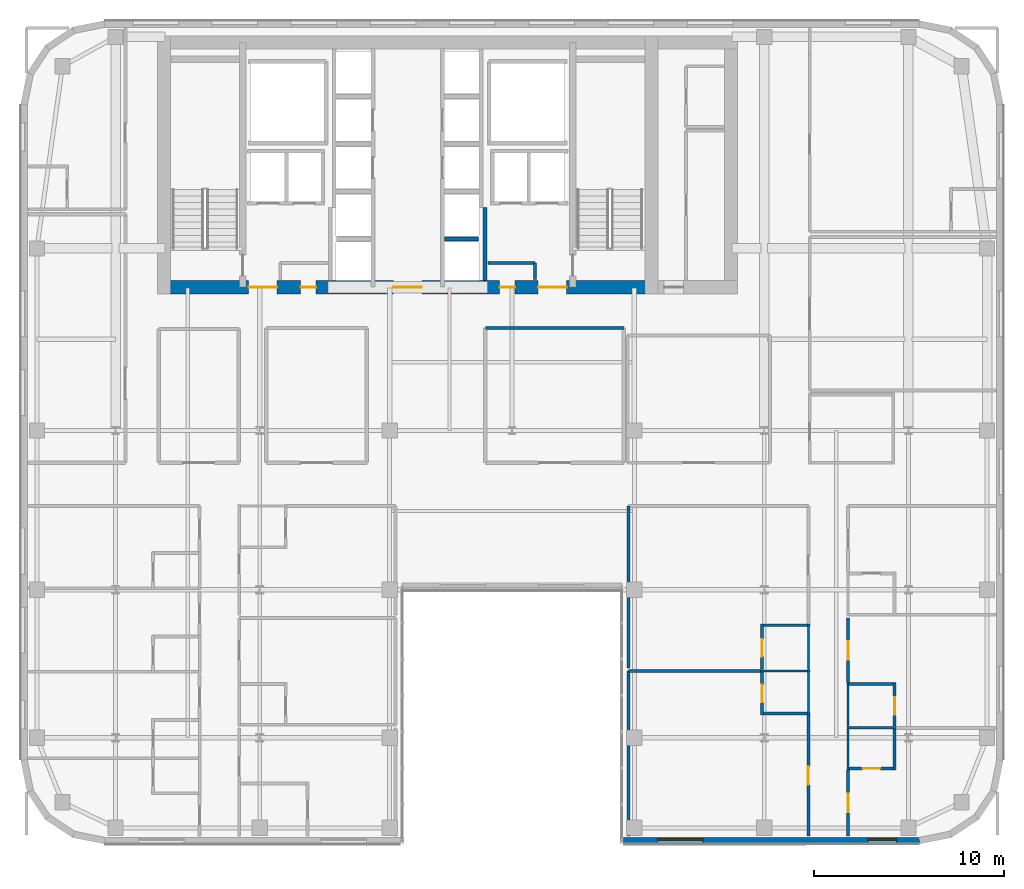
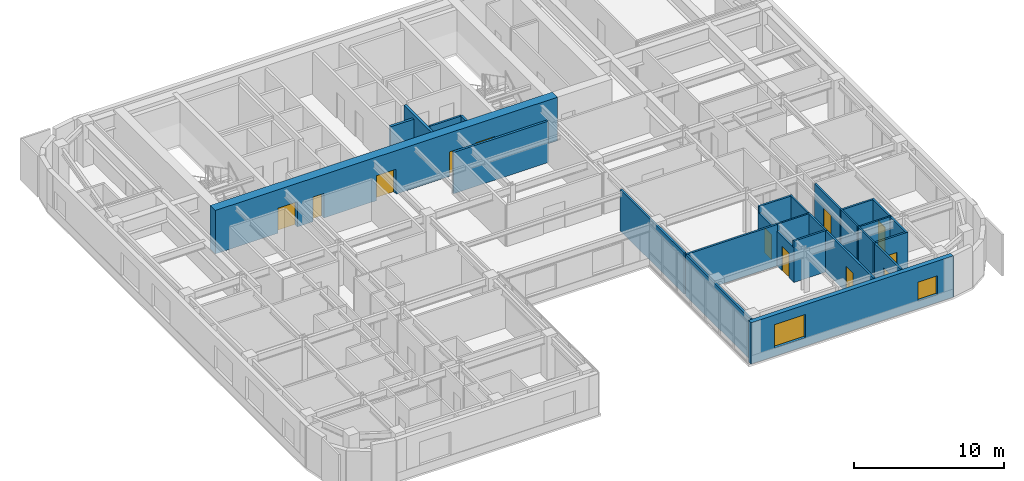
# One storey, part 11 of 20: 27 walls, 12 doors, 2 windows, 14 openings.
"""IFC4 building model written with IfcOpenShell, lengths in metres."""

from ifc_helpers import new_model, si_unit, direction, frame, frame_2d, origin, place, context, subcontext, project, spatial, rectangle, extrude, source, transform, mapped, material, layer, layer_set, type_object, type_shapes, element, fill, save


model = new_model("IFC4")

# Units and contexts
model_context = context("Model", 3, precision=1e-05, world=origin(), true_north=direction((0.0, 1.0)))
body_context = subcontext(model_context, "Body", "Model", "MODEL_VIEW")
ifc_project = project(units=[si_unit("LENGTHUNIT", "METRE"), si_unit("AREAUNIT", "SQUARE_METRE"), si_unit("VOLUMEUNIT", "CUBIC_METRE"), si_unit("PLANEANGLEUNIT", "RADIAN"), si_unit("MASSUNIT", "GRAM", prefix="KILO")], contexts=[model_context])

# Site, building, storey
site_placement = place(None, origin())
site = spatial("IfcSite", under=ifc_project, at=site_placement, CompositionType="ELEMENT")
building_placement = place(site_placement, origin())
building = spatial("IfcBuilding", under=site, at=building_placement, Name="Tolvann Quenvar Hotel", CompositionType="ELEMENT")
storey_placement = place(building_placement, frame((0.0, 0.0, 191.10009765625)))
storey = spatial("IfcBuildingStorey", under=building, at=storey_placement, Name="L50", CompositionType="ELEMENT", Elevation=191.10009765625)

# Wall, openings, doors
ifc_material_1 = material(Name="Concrete S65 (65 MPa)", Category="concrete")
ifc_layer_1 = layer(ifc_material_1, 0.699951171875)
ifc_layer_set_1 = layer_set([ifc_layer_1], Name="Concrete S65 (65 MPa)")
wall_type_1 = type_object("IfcWallType", Name="WALL_CORE_700", PredefinedType="SHEAR", material=ifc_layer_set_1)
wall_1_placement = place(storey_placement, frame((9.800048828125, 31.949951171875, 0.0), z_axis=(0.0, 0.0, 1.0), x_axis=(1.0, 0.0, 0.0)))
wall_1 = element("IfcWall", 1, at=wall_1_placement, inside=storey, type_object=wall_type_1, Name="Rear Core S Shear Wall (L50)", PredefinedType="SHEAR", context=body_context, shape_type="SweptSolid", body=[
    extrude(rectangle(XDim=26.39990234375, YDim=0.699951171875, at=frame_2d((13.199951171875, 0.0))), origin(), (0.0, 0.0, 1.0), 3.5498046875),
])
opening_1_placement = place(wall_1_placement, frame((6.320068359375, 0.0, 0.0), z_axis=(0.0, 0.0, 1.0), x_axis=(-1.0, 0.0, 0.0)))
opening_1 = element("IfcOpeningElement", 2, at=opening_1_placement, cuts=wall_1, Name="Opening FD-60D", PredefinedType="OPENING", context=body_context, shape_type="SweptSolid", body=[
    extrude(rectangle(XDim=1.5, YDim=2.0400390625, at=frame_2d((0.75, 1.02001953125))), frame((0.0, 0.35986328125, 0.0), z_axis=(0.0, -1.0, 0.0), x_axis=(1.0, 0.0, 0.0)), (0.0, 0.0, 1.0), 0.719970703125),
])
opening_2_placement = place(wall_1_placement, frame((13.949951171875, 0.0, 0.0), z_axis=(0.0, 0.0, 1.0), x_axis=(-1.0, 0.0, 0.0)))
opening_2 = element("IfcOpeningElement", 3, at=opening_2_placement, cuts=wall_1, Name="Opening FD-60D", PredefinedType="OPENING", context=body_context, shape_type="SweptSolid", body=[
    extrude(rectangle(XDim=1.5, YDim=2.0400390625, at=frame_2d((0.75, 1.02001953125))), frame((0.0, 0.35986328125, 0.0), z_axis=(0.0, -1.0, 0.0), x_axis=(1.0, 0.0, 0.0)), (0.0, 0.0, 1.0), 0.719970703125),
])
opening_3_placement = place(wall_1_placement, frame((21.580078125, 0.0, 0.0), z_axis=(0.0, 0.0, 1.0), x_axis=(-1.0, 0.0, 0.0)))
opening_3 = element("IfcOpeningElement", 4, at=opening_3_placement, cuts=wall_1, Name="Opening FD-60D", PredefinedType="OPENING", context=body_context, shape_type="SweptSolid", body=[
    extrude(rectangle(XDim=1.5, YDim=2.0400390625, at=frame_2d((0.75, 1.02001953125))), frame((0.0, 0.35986328125, 0.0), z_axis=(0.0, -1.0, 0.0), x_axis=(1.0, 0.0, 0.0)), (0.0, 0.0, 1.0), 0.719970703125),
])
opening_4_placement = place(wall_1_placement, frame((8.3701171875, 0.0, 0.0), z_axis=(0.0, 0.0, 1.0), x_axis=(-1.0, 0.0, 0.0)))
opening_4 = element("IfcOpeningElement", 5, at=opening_4_placement, cuts=wall_1, Name="Opening HD-02", PredefinedType="OPENING", context=body_context, shape_type="SweptSolid", body=[
    extrude(rectangle(XDim=0.820068359375, YDim=2.010009765625, at=frame_2d((0.41015625, 1.0048828125))), frame((0.0, 0.35986328125, 0.0), z_axis=(0.0, -1.0, 0.0), x_axis=(1.0, 0.0, 0.0)), (0.0, 0.0, 1.0), 0.719970703125),
])
opening_5_placement = place(wall_1_placement, frame((18.8701171875, 0.0, 0.0), z_axis=(0.0, 0.0, 1.0), x_axis=(-1.0, 0.0, 0.0)))
opening_5 = element("IfcOpeningElement", 6, at=opening_5_placement, cuts=wall_1, Name="Opening HD-02", PredefinedType="OPENING", context=body_context, shape_type="SweptSolid", body=[
    extrude(rectangle(XDim=0.820068359375, YDim=2.010009765625, at=frame_2d((0.41015625, 1.0048828125))), frame((0.0, 0.35986328125, 0.0), z_axis=(0.0, -1.0, 0.0), x_axis=(1.0, 0.0, 0.0)), (0.0, 0.0, 1.0), 0.719970703125),
])
ifc_material_2 = material(Name="Solid-core American oak acoustic fire door leaf in steel frame", Category="steel")
door_type_1 = type_object("IfcDoorType", Name="DOOR_FIRE_LOBBY_1500", OperationType="NOTDEFINED", PredefinedType="DOOR", material=ifc_material_2)
shared_shape_1 = source(origin(), body_context, "Body", "SweptSolid", [
    extrude(rectangle(XDim=1.5, YDim=2.0400390625, at=frame_2d((0.75, 1.02001953125))), frame((0.0, 0.02490234375, 0.0), z_axis=(0.0, -1.0, 0.0), x_axis=(1.0, 0.0, 0.0)), (0.0, 0.0, 1.0), 0.050048828125),
])
type_shapes(door_type_1, [shared_shape_1])
door_1_placement = place(opening_1_placement, origin())
door_1 = element("IfcDoor", 7, at=door_1_placement, inside=storey, type_object=door_type_1, Name="Core Lobby Fire Door FFW (L50)", OperationType="DOUBLE_DOOR_SINGLE_SWING", OverallHeight=2.0400390625, OverallWidth=1.5, PredefinedType="DOOR", context=body_context, shape_type="MappedRepresentation", body=[
    mapped(shared_shape_1, transform((0.0, 0.0, 0.0), x_axis=(1.0, 0.0, 0.0), y_axis=(0.0, 1.0, 0.0), z_axis=(0.0, 0.0, 1.0), scale=1.0)),
])
fill(opening_1, door_1)
door_2_placement = place(opening_2_placement, origin())
door_2 = element("IfcDoor", 8, at=door_2_placement, inside=storey, type_object=door_type_1, Name="Core Lobby Fire Door CLOB (L50)", OperationType="DOUBLE_DOOR_SINGLE_SWING", OverallHeight=2.0400390625, OverallWidth=1.5, PredefinedType="DOOR", context=body_context, shape_type="MappedRepresentation", body=[
    mapped(shared_shape_1, transform((0.0, 0.0, 0.0), x_axis=(1.0, 0.0, 0.0), y_axis=(0.0, 1.0, 0.0), z_axis=(0.0, 0.0, 1.0), scale=1.0)),
])
fill(opening_2, door_2)
door_3_placement = place(opening_3_placement, origin())
door_3 = element("IfcDoor", 9, at=door_3_placement, inside=storey, type_object=door_type_1, Name="Core Lobby Fire Door FFE (L50)", OperationType="DOUBLE_DOOR_SINGLE_SWING", OverallHeight=2.0400390625, OverallWidth=1.5, PredefinedType="DOOR", context=body_context, shape_type="MappedRepresentation", body=[
    mapped(shared_shape_1, transform((0.0, 0.0, 0.0), x_axis=(1.0, 0.0, 0.0), y_axis=(0.0, 1.0, 0.0), z_axis=(0.0, 0.0, 1.0), scale=1.0)),
])
fill(opening_3, door_3)
ifc_material_3 = material(Name="Pressed galvanised steel fire-rated door set", Category="steel")
door_type_2 = type_object("IfcDoorType", Name="DOOR_STORE_820", OperationType="NOTDEFINED", PredefinedType="DOOR", material=ifc_material_3)
shared_shape_2 = source(origin(), body_context, "Body", "SweptSolid", [
    extrude(rectangle(XDim=0.820068359375, YDim=2.010009765625, at=frame_2d((0.41015625, 1.0048828125))), frame((0.0, 0.02490234375, 0.0), z_axis=(0.0, -1.0, 0.0), x_axis=(1.0, 0.0, 0.0)), (0.0, 0.0, 1.0), 0.050048828125),
])
type_shapes(door_type_2, [shared_shape_2])
door_4_placement = place(opening_4_placement, origin())
door_4 = element("IfcDoor", 10, at=door_4_placement, inside=storey, type_object=door_type_2, Name="Core Linen Store Fire Door (L50)", OperationType="SINGLE_SWING_RIGHT", OverallHeight=2.010009765625, OverallWidth=0.820068359375, PredefinedType="DOOR", context=body_context, shape_type="MappedRepresentation", body=[
    mapped(shared_shape_2, transform((0.0, 0.0, 0.0), x_axis=(1.0, 0.0, 0.0), y_axis=(0.0, 1.0, 0.0), z_axis=(0.0, 0.0, 1.0), scale=1.0)),
])
fill(opening_4, door_4)
door_5_placement = place(opening_5_placement, origin())
door_5 = element("IfcDoor", 11, at=door_5_placement, inside=storey, type_object=door_type_2, Name="Core Comms Closet Fire Door (L50)", OperationType="SINGLE_SWING_LEFT", OverallHeight=2.010009765625, OverallWidth=0.820068359375, PredefinedType="DOOR", context=body_context, shape_type="MappedRepresentation", body=[
    mapped(shared_shape_2, transform((0.0, 0.0, 0.0), x_axis=(1.0, 0.0, 0.0), y_axis=(0.0, 1.0, 0.0), z_axis=(0.0, 0.0, 1.0), scale=1.0)),
])
fill(opening_5, door_5)

# Wall, openings, windows
ifc_material_4 = material(Name="Kiln-fired red and buff architectural clay brickwork and terracotta masonry", Category="masonry")
ifc_layer_2 = layer(ifc_material_4, 0.35009765625)
ifc_layer_set_2 = layer_set([ifc_layer_2], Name="Kiln-fired red and buff architectural clay brickwork and terracotta masonry")
wall_type_2 = type_object("IfcWallType", Name="WALL_EXT_BRICK_350", PredefinedType="SOLIDWALL", material=ifc_layer_set_2)
wall_2_placement = place(storey_placement, frame((34.375, 2.77490234375, 0.0), z_axis=(0.0, 0.0, 1.0), x_axis=(1.0, 0.0, 0.0)))
wall_2 = element("IfcWall", 12, at=wall_2_placement, inside=storey, type_object=wall_type_2, Name="Exterior Chicago Brick Wall L50-E08", PredefinedType="SOLIDWALL", context=body_context, shape_type="SweptSolid", body=[
    extrude(rectangle(XDim=15.60791015625, YDim=0.35009765625, at=frame_2d((7.803955078125, 0.0))), origin(), (0.0, 0.0, 1.0), 3.369873046875),
])
opening_6_placement = place(wall_2_placement, frame((1.801025390625, 0.0, 0.679931640625)))
opening_6 = element("IfcOpeningElement", 13, at=opening_6_placement, cuts=wall_2, Name="Opening W-01", PredefinedType="OPENING", context=body_context, shape_type="SweptSolid", body=[
    extrude(rectangle(XDim=2.39990234375, YDim=1.89990234375, at=frame_2d((1.199951171875, 0.949951171875))), frame((0.0, 0.18505859375, 0.0), z_axis=(0.0, -1.0, 0.0), x_axis=(1.0, 0.0, 0.0)), (0.0, 0.0, 1.0), 0.3701171875),
])
opening_7_placement = place(wall_2_placement, frame((12.89111328125, 0.0, 0.6201171875)))
opening_7 = element("IfcOpeningElement", 14, at=opening_7_placement, cuts=wall_2, Name="Opening W-08", PredefinedType="OPENING", context=body_context, shape_type="SweptSolid", body=[
    extrude(rectangle(XDim=1.5, YDim=1.550048828125, at=frame_2d((0.75, 0.77490234375))), frame((0.0, 0.18505859375, 0.0), z_axis=(0.0, -1.0, 0.0), x_axis=(1.0, 0.0, 0.0)), (0.0, 0.0, 1.0), 0.3701171875),
])
ifc_material_5 = material(Name="Thermally broken bronze-anodised aluminium frame with double low-E glazing", Category="aluminium")
window_type_1 = type_object("IfcWindowType", Name="WIN_COR_1500x2050", PartitioningType="SINGLE_PANEL", PredefinedType="WINDOW", material=ifc_material_5)
shared_shape_3 = source(origin(), body_context, "Body", "SweptSolid", [
    extrude(rectangle(XDim=1.5, YDim=1.550048828125, at=frame_2d((0.75, 0.77490234375))), frame((0.0, 0.090087890625, 0.0), z_axis=(0.0, -1.0, 0.0), x_axis=(1.0, 0.0, 0.0)), (0.0, 0.0, 1.0), 0.06005859375),
])
type_shapes(window_type_1, [shared_shape_3])
window_1_placement = place(opening_7_placement, origin())
window_1 = element("IfcWindow", 15, at=window_1_placement, inside=storey, type_object=window_type_1, Name="Chicago Window W-08 (EW-L50-E08-WD02)", OverallHeight=1.550048828125, OverallWidth=1.5, PartitioningType="SINGLE_PANEL", PredefinedType="WINDOW", context=body_context, shape_type="MappedRepresentation", body=[
    mapped(shared_shape_3, transform((0.0, 0.0, 0.0), x_axis=(1.0, 0.0, 0.0), y_axis=(0.0, 1.0, 0.0), z_axis=(0.0, 0.0, 1.0), scale=1.0)),
])
fill(opening_7, window_1)
window_type_2 = type_object("IfcWindowType", Name="WIN_CHI_2400x2050", PartitioningType="TRIPLE_PANEL_HORIZONTAL", PredefinedType="WINDOW", material=ifc_material_5)
shared_shape_4 = source(origin(), body_context, "Body", "SweptSolid", [
    extrude(rectangle(XDim=2.39990234375, YDim=1.89990234375, at=frame_2d((1.199951171875, 0.949951171875))), frame((0.0, 0.090087890625, 0.0), z_axis=(0.0, -1.0, 0.0), x_axis=(1.0, 0.0, 0.0)), (0.0, 0.0, 1.0), 0.06005859375),
])
type_shapes(window_type_2, [shared_shape_4])
window_2_placement = place(opening_6_placement, origin())
window_2 = element("IfcWindow", 16, at=window_2_placement, inside=storey, type_object=window_type_2, Name="Chicago Window W-01 (EW-L50-E08-W01)", OverallHeight=1.89990234375, OverallWidth=2.39990234375, PartitioningType="TRIPLE_PANEL_HORIZONTAL", PredefinedType="WINDOW", context=body_context, shape_type="MappedRepresentation", body=[
    mapped(shared_shape_4, transform((0.0, 0.0, 0.0), x_axis=(1.0, 0.0, 0.0), y_axis=(0.0, 1.0, 0.0), z_axis=(0.0, 0.0, 1.0), scale=1.0)),
])
fill(opening_6, window_2)

# Walls
ifc_material_6 = material(Name="Acoustic twin-stud fire-rated gypsum plasterboard partition")
ifc_layer_3 = layer(ifc_material_6, 0.179931640625)
ifc_layer_set_3 = layer_set([ifc_layer_3], Name="Acoustic twin-stud fire-rated gypsum plasterboard partition")
wall_type_3 = type_object("IfcWallType", Name="WALL_PART_ACOUSTIC_180", PredefinedType="PARTITIONING", material=ifc_layer_set_3)
wall_3_placement = place(storey_placement, frame((27.10009765625, 29.800048828125, 0.0), z_axis=(0.0, 0.0, 1.0), x_axis=(1.0, 0.0, 0.0)))
element("IfcWall", 17, at=wall_3_placement, inside=storey, type_object=wall_type_3, Name="Interior Partition PT-SPC-L50-MSP-C-N", PredefinedType="PARTITIONING", context=body_context, shape_type="SweptSolid", body=[
    extrude(rectangle(XDim=7.2998046875, YDim=0.179931640625, at=frame_2d((3.64990234375, 0.0))), origin(), (0.0, 0.0, 1.0), 3.369873046875),
])
ifc_material_7 = material(Name="Moisture-resistant acoustic plumbing wall assembly")
ifc_layer_4 = layer(ifc_material_7, 0.1201171875)
ifc_layer_set_4 = layer_set([ifc_layer_4], Name="Moisture-resistant acoustic plumbing wall assembly")
wall_type_4 = type_object("IfcWallType", Name="WALL_PART_BATH_120", PredefinedType="PLUMBINGWALL", material=ifc_layer_set_4)
wall_4_placement = place(storey_placement, frame((41.610107421875, 11.719970703125, 0.0), z_axis=(0.0, 0.0, 1.0), x_axis=(1.0, 0.0, 0.0)))
element("IfcWall", 18, at=wall_4_placement, inside=storey, type_object=wall_type_4, Name="Non-Rated Plumbing Partition PT-SPC-L50-ENS-EI01-N", PredefinedType="PLUMBINGWALL", context=body_context, shape_type="SweptSolid", body=[
    extrude(rectangle(XDim=2.58984375, YDim=0.1201171875, at=frame_2d((1.294921875, 0.0))), origin(), (0.0, 0.0, 1.0), 3.369873046875),
])
wall_5_placement = place(storey_placement, frame((44.1298828125, 9.39990234375, 0.0), z_axis=(0.0, 0.0, 1.0), x_axis=(0.0, 1.0, 0.0)))
element("IfcWall", 19, at=wall_5_placement, inside=storey, type_object=wall_type_4, Name="Non-Rated Plumbing Partition PT-SPC-L50-ENS-EI01-E", PredefinedType="PLUMBINGWALL", context=body_context, shape_type="SweptSolid", body=[
    extrude(rectangle(XDim=2.39013671875, YDim=0.1201171875, at=frame_2d((1.195068359375, 0.0))), origin(), (0.0, 0.0, 1.0), 3.369873046875),
])
wall_6_placement = place(storey_placement, frame((44.1298828125, 11.81005859375, 0.0), z_axis=(0.0, 0.0, 1.0), x_axis=(0.0, 1.0, 0.0)))
element("IfcWall", 20, at=wall_6_placement, inside=storey, type_object=wall_type_4, Name="Non-Rated Plumbing Partition PT-SPC-L50-ENS-EI02-E", PredefinedType="PLUMBINGWALL", context=body_context, shape_type="SweptSolid", body=[
    extrude(rectangle(XDim=2.389892578125, YDim=0.1201171875, at=frame_2d((1.19482421875, 0.0))), origin(), (0.0, 0.0, 1.0), 3.369873046875),
])
wall_7_placement = place(storey_placement, frame((46.14990234375, 8.719970703125, 0.0), z_axis=(0.0, 0.0, 1.0), x_axis=(1.0, 0.0, 0.0)))
element("IfcWall", 21, at=wall_7_placement, inside=storey, type_object=wall_type_4, Name="Non-Rated Plumbing Partition PT-SPC-L50-ENS-EO01-N", PredefinedType="PLUMBINGWALL", context=body_context, shape_type="SweptSolid", body=[
    extrude(rectangle(XDim=2.590087890625, YDim=0.1201171875, at=frame_2d((1.294921875, 0.0))), origin(), (0.0, 0.0, 1.0), 3.369873046875),
])
for number, where, z_axis, x_axis, name in (
    (22, (46.219970703125, 6.507080078125, 0.0), (0.0, 0.0, 1.0), (0.0, 1.0, 0.0), "Non-Rated Plumbing Partition PT-SPC-L50-ENS-EO01-W"),
    (23, (46.219970703125, 8.81005859375, 0.0), (0.0, 0.0, 1.0), (0.0, 1.0, 0.0), "Non-Rated Plumbing Partition PT-SPC-L50-ENS-EO02-W"),
):
    element("IfcWall", number, at=place(storey_placement, frame(where, z_axis=z_axis, x_axis=x_axis)), inside=storey, type_object=wall_type_4, Name=name, PredefinedType="PLUMBINGWALL", context=body_context, shape_type="SweptSolid", body=[
        extrude(rectangle(XDim=2.282958984375, YDim=0.1201171875, at=frame_2d((1.1416015625, 0.0))), origin(), (0.0, 0.0, 1.0), 3.369873046875),
    ])

# Wall, opening, door
ifc_layer_5 = layer(ifc_material_6, 0.14990234375)
ifc_layer_set_5 = layer_set([ifc_layer_5], Name="Acoustic twin-stud fire-rated gypsum plasterboard partition")
wall_type_5 = type_object("IfcWallType", Name="WALL_PART_SUITE_150", PredefinedType="PARTITIONING", material=ifc_layer_set_5)
wall_8_placement = place(storey_placement, frame((41.679931640625, 9.39990234375, 0.0), z_axis=(0.0, 0.0, 1.0), x_axis=(0.0, 1.0, 0.0)))
wall_8 = element("IfcWall", 24, at=wall_8_placement, inside=storey, type_object=wall_type_5, Name="Interior Partition PT-SPC-L50-ENS-EI01-ENT", PredefinedType="PARTITIONING", context=body_context, shape_type="SweptSolid", body=[
    extrude(rectangle(XDim=2.39013671875, YDim=0.14990234375, at=frame_2d((1.195068359375, 0.0))), origin(), (0.0, 0.0, 1.0), 2.826904296875),
])
opening_8_placement = place(wall_8_placement, frame((0.6650390625, 0.0, 0.0)))
opening_8 = element("IfcOpeningElement", 25, at=opening_8_placement, cuts=wall_8, Name="Opening WD-01", PredefinedType="OPENING", context=body_context, shape_type="SweptSolid", body=[
    extrude(rectangle(XDim=0.919921875, YDim=2.010009765625, at=frame_2d((0.4599609375, 1.0048828125))), frame((0.0, 0.0849609375, 0.0), z_axis=(0.0, -1.0, 0.0), x_axis=(1.0, 0.0, 0.0)), (0.0, 0.0, 1.0), 0.169921875),
])
door_type_3 = type_object("IfcDoorType", Name="DOOR_WC_920", OperationType="NOTDEFINED", PredefinedType="DOOR", material=ifc_material_2)
shared_shape_5 = source(origin(), body_context, "Body", "SweptSolid", [
    extrude(rectangle(XDim=0.919921875, YDim=2.010009765625, at=frame_2d((0.4599609375, 1.0048828125))), frame((0.0, 0.02490234375, 0.0), z_axis=(0.0, -1.0, 0.0), x_axis=(1.0, 0.0, 0.0)), (0.0, 0.0, 1.0), 0.050048828125),
])
type_shapes(door_type_3, [shared_shape_5])
door_6_placement = place(opening_8_placement, origin())
door_6 = element("IfcDoor", 26, at=door_6_placement, inside=storey, type_object=door_type_3, Name="Interior Door DOOR-SPC-L50-ENS-EI01", OperationType="SINGLE_SWING_RIGHT", OverallHeight=2.010009765625, OverallWidth=0.919921875, PredefinedType="DOOR", context=body_context, shape_type="MappedRepresentation", body=[
    mapped(shared_shape_5, transform((0.0, 0.0, 0.0), x_axis=(1.0, 0.0, 0.0), y_axis=(0.0, 1.0, 0.0), z_axis=(0.0, 0.0, 1.0), scale=1.0)),
])
fill(opening_8, door_6)

# Wall
wall_9_placement = place(storey_placement, frame((41.610107421875, 9.469970703125, 0.0), z_axis=(0.0, 0.0, 1.0), x_axis=(1.0, 0.0, 0.0)))
element("IfcWall", 27, at=wall_9_placement, inside=storey, type_object=wall_type_5, Name="Interior Partition PT-SPC-L50-ENS-EI01-S", PredefinedType="PARTITIONING", context=body_context, shape_type="SweptSolid", body=[
    extrude(rectangle(XDim=2.58984375, YDim=0.14990234375, at=frame_2d((1.294921875, 0.0))), origin(), (0.0, 0.0, 1.0), 3.369873046875),
])

# Wall, opening, door
wall_10_placement = place(storey_placement, frame((41.679931640625, 11.81005859375, 0.0), z_axis=(0.0, 0.0, 1.0), x_axis=(0.0, 1.0, 0.0)))
wall_10 = element("IfcWall", 28, at=wall_10_placement, inside=storey, type_object=wall_type_5, Name="Interior Partition PT-SPC-L50-ENS-EI02-ENT", PredefinedType="PARTITIONING", context=body_context, shape_type="SweptSolid", body=[
    extrude(rectangle(XDim=2.389892578125, YDim=0.14990234375, at=frame_2d((1.19482421875, 0.0))), origin(), (0.0, 0.0, 1.0), 2.826904296875),
])
opening_9_placement = place(wall_10_placement, frame((0.6650390625, 0.0, 0.0)))
opening_9 = element("IfcOpeningElement", 29, at=opening_9_placement, cuts=wall_10, Name="Opening WD-01", PredefinedType="OPENING", context=body_context, shape_type="SweptSolid", body=[
    extrude(rectangle(XDim=0.919921875, YDim=2.010009765625, at=frame_2d((0.4599609375, 1.0048828125))), frame((0.0, 0.0849609375, 0.0), z_axis=(0.0, -1.0, 0.0), x_axis=(1.0, 0.0, 0.0)), (0.0, 0.0, 1.0), 0.169921875),
])
door_7_placement = place(opening_9_placement, origin())
door_7 = element("IfcDoor", 30, at=door_7_placement, inside=storey, type_object=door_type_3, Name="Interior Door DOOR-SPC-L50-ENS-EI02", OperationType="SINGLE_SWING_LEFT", OverallHeight=2.010009765625, OverallWidth=0.919921875, PredefinedType="DOOR", context=body_context, shape_type="MappedRepresentation", body=[
    mapped(shared_shape_5, transform((0.0, 0.0, 0.0), x_axis=(1.0, 0.0, 0.0), y_axis=(0.0, 1.0, 0.0), z_axis=(0.0, 0.0, 1.0), scale=1.0)),
])
fill(opening_9, door_7)

# Walls
wall_11_placement = place(storey_placement, frame((41.610107421875, 14.1298828125, 0.0), z_axis=(0.0, 0.0, 1.0), x_axis=(1.0, 0.0, 0.0)))
element("IfcWall", 31, at=wall_11_placement, inside=storey, type_object=wall_type_5, Name="Interior Partition PT-SPC-L50-ENS-EI02-N", PredefinedType="PARTITIONING", context=body_context, shape_type="SweptSolid", body=[
    extrude(rectangle(XDim=2.58984375, YDim=0.14990234375, at=frame_2d((1.294921875, 0.0))), origin(), (0.0, 0.0, 1.0), 3.369873046875),
])
wall_12_placement = place(storey_placement, frame((48.669921875, 6.507080078125, 0.0), z_axis=(0.0, 0.0, 1.0), x_axis=(0.0, 1.0, 0.0)))
element("IfcWall", 32, at=wall_12_placement, inside=storey, type_object=wall_type_5, Name="Interior Partition PT-SPC-L50-ENS-EO01-ENT", PredefinedType="PARTITIONING", context=body_context, shape_type="SweptSolid", body=[
    extrude(rectangle(XDim=2.282958984375, YDim=0.14990234375, at=frame_2d((1.1416015625, 0.0))), origin(), (0.0, 0.0, 1.0), 3.369873046875),
])

# Wall, opening, door
wall_13_placement = place(storey_placement, frame((46.14990234375, 6.576904296875, 0.0), z_axis=(0.0, 0.0, 1.0), x_axis=(1.0, 0.0, 0.0)))
wall_13 = element("IfcWall", 33, at=wall_13_placement, inside=storey, type_object=wall_type_5, Name="Interior Partition PT-SPC-L50-ENS-EO01-S", PredefinedType="PARTITIONING", context=body_context, shape_type="SweptSolid", body=[
    extrude(rectangle(XDim=2.590087890625, YDim=0.14990234375, at=frame_2d((1.294921875, 0.0))), origin(), (0.0, 0.0, 1.0), 3.369873046875),
])
opening_10_placement = place(wall_13_placement, frame((0.8349609375, 0.0, 0.0)))
opening_10 = element("IfcOpeningElement", 34, at=opening_10_placement, cuts=wall_13, Name="Opening WD-01", PredefinedType="OPENING", context=body_context, shape_type="SweptSolid", body=[
    extrude(rectangle(XDim=0.919921875, YDim=2.010009765625, at=frame_2d((0.4599609375, 1.0048828125))), frame((0.0, 0.0849609375, 0.0), z_axis=(0.0, -1.0, 0.0), x_axis=(1.0, 0.0, 0.0)), (0.0, 0.0, 1.0), 0.169921875),
])
door_8_placement = place(opening_10_placement, origin())
door_8 = element("IfcDoor", 35, at=door_8_placement, inside=storey, type_object=door_type_3, Name="Interior Door DOOR-SPC-L50-ENS-EO01", OperationType="SINGLE_SWING_RIGHT", OverallHeight=2.010009765625, OverallWidth=0.919921875, PredefinedType="DOOR", context=body_context, shape_type="MappedRepresentation", body=[
    mapped(shared_shape_5, transform((0.0, 0.0, 0.0), x_axis=(1.0, 0.0, 0.0), y_axis=(0.0, 1.0, 0.0), z_axis=(0.0, 0.0, 1.0), scale=1.0)),
])
fill(opening_10, door_8)

wall_14_placement = place(storey_placement, frame((48.669921875, 8.81005859375, 0.0), z_axis=(0.0, 0.0, 1.0), x_axis=(0.0, 1.0, 0.0)))
wall_14 = element("IfcWall", 36, at=wall_14_placement, inside=storey, type_object=wall_type_5, Name="Interior Partition PT-SPC-L50-ENS-EO02-ENT", PredefinedType="PARTITIONING", context=body_context, shape_type="SweptSolid", body=[
    extrude(rectangle(XDim=2.282958984375, YDim=0.14990234375, at=frame_2d((1.1416015625, 0.0))), origin(), (0.0, 0.0, 1.0), 3.369873046875),
])
opening_11_placement = place(wall_14_placement, frame((0.611572265625, 0.0, 0.0)))
opening_11 = element("IfcOpeningElement", 37, at=opening_11_placement, cuts=wall_14, Name="Opening WD-01", PredefinedType="OPENING", context=body_context, shape_type="SweptSolid", body=[
    extrude(rectangle(XDim=0.919921875, YDim=2.010009765625, at=frame_2d((0.4599609375, 1.0048828125))), frame((0.0, 0.0849609375, 0.0), z_axis=(0.0, -1.0, 0.0), x_axis=(1.0, 0.0, 0.0)), (0.0, 0.0, 1.0), 0.169921875),
])
door_9_placement = place(opening_11_placement, origin())
door_9 = element("IfcDoor", 38, at=door_9_placement, inside=storey, type_object=door_type_3, Name="Interior Door DOOR-SPC-L50-ENS-EO02", OperationType="SINGLE_SWING_LEFT", OverallHeight=2.010009765625, OverallWidth=0.919921875, PredefinedType="DOOR", context=body_context, shape_type="MappedRepresentation", body=[
    mapped(shared_shape_5, transform((0.0, 0.0, 0.0), x_axis=(1.0, 0.0, 0.0), y_axis=(0.0, 1.0, 0.0), z_axis=(0.0, 0.0, 1.0), scale=1.0)),
])
fill(opening_11, door_9)

# Walls
wall_15_placement = place(storey_placement, frame((46.14990234375, 11.02294921875, 0.0), z_axis=(0.0, 0.0, 1.0), x_axis=(1.0, 0.0, 0.0)))
element("IfcWall", 39, at=wall_15_placement, inside=storey, type_object=wall_type_5, Name="Interior Partition PT-SPC-L50-ENS-EO02-N", PredefinedType="PARTITIONING", context=body_context, shape_type="SweptSolid", body=[
    extrude(rectangle(XDim=2.590087890625, YDim=0.14990234375, at=frame_2d((1.294921875, 0.0))), origin(), (0.0, 0.0, 1.0), 3.369873046875),
])
wall_16_placement = place(storey_placement, frame((27.235107421875, 33.219970703125, 0.0), z_axis=(0.0, 0.0, 1.0), x_axis=(1.0, 0.0, 0.0)))
element("IfcWall", 40, at=wall_16_placement, inside=storey, type_object=wall_type_5, Name="Interior Partition PT-SPC-L50-CSE-2-N", PredefinedType="PARTITIONING", context=body_context, shape_type="SweptSolid", body=[
    extrude(rectangle(XDim=2.48486328125, YDim=0.14990234375, at=frame_2d((1.242431640625, 0.0))), origin(), (0.0, 0.0, 1.0), 3.369873046875),
])
wall_17_placement = place(storey_placement, frame((29.719970703125, 32.35498046875, 0.0), z_axis=(0.0, 0.0, 1.0), x_axis=(0.0, 1.0, 0.0)))
element("IfcWall", 41, at=wall_17_placement, inside=storey, type_object=wall_type_5, Name="Interior Partition PT-SPC-L50-CSE-2-E", PredefinedType="PARTITIONING", context=body_context, shape_type="SweptSolid", body=[
    extrude(rectangle(XDim=0.864990234375, YDim=0.14990234375, at=frame_2d((0.4326171875, 0.0))), origin(), (0.0, 0.0, 1.0), 3.369873046875),
])

# Wall, opening, door
wall_18_placement = place(storey_placement, frame((44.1298828125, 3.0048828125, 0.0), z_axis=(0.0, 0.0, 1.0), x_axis=(0.0, 1.0, 0.0)))
wall_18 = element("IfcWall", 42, at=wall_18_placement, inside=storey, type_object=wall_type_5, Name="Interior Partition PT-SPC-L50-RM-EI01-ENT", PredefinedType="PARTITIONING", context=body_context, shape_type="SweptSolid", body=[
    extrude(rectangle(XDim=6.385009765625, YDim=0.14990234375, at=frame_2d((3.1923828125, 0.0))), origin(), (0.0, 0.0, 1.0), 3.369873046875),
])
opening_12_placement = place(wall_18_placement, frame((2.7099609375, 0.0, 0.0)))
opening_12 = element("IfcOpeningElement", 43, at=opening_12_placement, cuts=wall_18, Name="Opening SD-01", PredefinedType="OPENING", context=body_context, shape_type="SweptSolid", body=[
    extrude(rectangle(XDim=0.97998046875, YDim=2.1201171875, at=frame_2d((0.489990234375, 1.06005859375))), frame((0.0, 0.0849609375, 0.0), z_axis=(0.0, -1.0, 0.0), x_axis=(1.0, 0.0, 0.0)), (0.0, 0.0, 1.0), 0.169921875),
])
door_type_4 = type_object("IfcDoorType", Name="DOOR_SUITE_980", OperationType="NOTDEFINED", PredefinedType="DOOR", material=ifc_material_2)
shared_shape_6 = source(origin(), body_context, "Body", "SweptSolid", [
    extrude(rectangle(XDim=0.97998046875, YDim=2.1201171875, at=frame_2d((0.489990234375, 1.06005859375))), frame((0.0, 0.02490234375, 0.0), z_axis=(0.0, -1.0, 0.0), x_axis=(1.0, 0.0, 0.0)), (0.0, 0.0, 1.0), 0.050048828125),
])
type_shapes(door_type_4, [shared_shape_6])
door_10_placement = place(opening_12_placement, origin())
door_10 = element("IfcDoor", 44, at=door_10_placement, inside=storey, type_object=door_type_4, Name="Interior Door DOOR-SPC-L50-RM-EI01", OperationType="SINGLE_SWING_RIGHT", OverallHeight=2.1201171875, OverallWidth=0.97998046875, PredefinedType="DOOR", context=body_context, shape_type="MappedRepresentation", body=[
    mapped(shared_shape_6, transform((0.0, 0.0, 0.0), x_axis=(1.0, 0.0, 0.0), y_axis=(0.0, 1.0, 0.0), z_axis=(0.0, 0.0, 1.0), scale=1.0)),
])
fill(opening_12, door_10)

# Walls
wall_19_placement = place(storey_placement, frame((34.64990234375, 11.719970703125, 0.0), z_axis=(0.0, 0.0, 1.0), x_axis=(1.0, 0.0, 0.0)))
element("IfcWall", 45, at=wall_19_placement, inside=storey, type_object=wall_type_5, Name="Interior Partition PT-SPC-L50-RM-EI01-E5", PredefinedType="PARTITIONING", context=body_context, shape_type="SweptSolid", body=[
    extrude(rectangle(XDim=7.010009765625, YDim=0.14990234375, at=frame_2d((3.5048828125, 0.0))), origin(), (0.0, 0.0, 1.0), 3.369873046875),
])
wall_20_placement = place(storey_placement, frame((34.64990234375, 3.0048828125, 0.0), z_axis=(0.0, 0.0, 1.0), x_axis=(0.0, 1.0, 0.0)))
element("IfcWall", 46, at=wall_20_placement, inside=storey, type_object=wall_type_5, Name="Interior Partition PT-SPC-L50-RM-EI01-E6", PredefinedType="PARTITIONING", context=body_context, shape_type="SweptSolid", body=[
    extrude(rectangle(XDim=8.715087890625, YDim=0.14990234375, at=frame_2d((4.357421875, 0.0))), origin(), (0.0, 0.0, 1.0), 3.369873046875),
])
wall_21_placement = place(storey_placement, frame((34.64990234375, 11.8798828125, 0.0), z_axis=(0.0, 0.0, 1.0), x_axis=(0.0, 1.0, 0.0)))
element("IfcWall", 47, at=wall_21_placement, inside=storey, type_object=wall_type_5, Name="Interior Partition PT-SPC-L50-RM-EI02-E6", PredefinedType="PARTITIONING", context=body_context, shape_type="SweptSolid", body=[
    extrude(rectangle(XDim=8.5400390625, YDim=0.14990234375, at=frame_2d((4.27001953125, 0.0))), origin(), (0.0, 0.0, 1.0), 3.369873046875),
])

# Wall, opening, door
wall_22_placement = place(storey_placement, frame((46.219970703125, 3.0048828125, 0.0), z_axis=(0.0, 0.0, 1.0), x_axis=(0.0, 1.0, 0.0)))
wall_22 = element("IfcWall", 48, at=wall_22_placement, inside=storey, type_object=wall_type_5, Name="Interior Partition PT-SPC-L50-RM-EO01-ENT", PredefinedType="PARTITIONING", context=body_context, shape_type="SweptSolid", body=[
    extrude(rectangle(XDim=3.4921875, YDim=0.14990234375, at=frame_2d((1.74609375, 0.0))), origin(), (0.0, 0.0, 1.0), 3.369873046875),
])
opening_13_placement = place(wall_22_placement, frame((1.263427734375, 0.0, 0.0)))
opening_13 = element("IfcOpeningElement", 49, at=opening_13_placement, cuts=wall_22, Name="Opening SD-01", PredefinedType="OPENING", context=body_context, shape_type="SweptSolid", body=[
    extrude(rectangle(XDim=0.97998046875, YDim=2.1201171875, at=frame_2d((0.489990234375, 1.06005859375))), frame((0.0, 0.0849609375, 0.0), z_axis=(0.0, -1.0, 0.0), x_axis=(1.0, 0.0, 0.0)), (0.0, 0.0, 1.0), 0.169921875),
])
door_11_placement = place(opening_13_placement, origin())
door_11 = element("IfcDoor", 50, at=door_11_placement, inside=storey, type_object=door_type_4, Name="Interior Door DOOR-SPC-L50-RM-EO01", OperationType="SINGLE_SWING_RIGHT", OverallHeight=2.1201171875, OverallWidth=0.97998046875, PredefinedType="DOOR", context=body_context, shape_type="MappedRepresentation", body=[
    mapped(shared_shape_6, transform((0.0, 0.0, 0.0), x_axis=(1.0, 0.0, 0.0), y_axis=(0.0, 1.0, 0.0), z_axis=(0.0, 0.0, 1.0), scale=1.0)),
])
fill(opening_13, door_11)

wall_23_placement = place(storey_placement, frame((46.219970703125, 11.10302734375, 0.0), z_axis=(0.0, 0.0, 1.0), x_axis=(0.0, 1.0, 0.0)))
wall_23 = element("IfcWall", 51, at=wall_23_placement, inside=storey, type_object=wall_type_5, Name="Interior Partition PT-SPC-L50-RM-EO02-ENT", PredefinedType="PARTITIONING", context=body_context, shape_type="SweptSolid", body=[
    extrude(rectangle(XDim=3.4169921875, YDim=0.14990234375, at=frame_2d((1.70849609375, 0.0))), origin(), (0.0, 0.0, 1.0), 3.369873046875),
])
opening_14_placement = place(wall_23_placement, frame((1.198486328125, 0.0, 0.0)))
opening_14 = element("IfcOpeningElement", 52, at=opening_14_placement, cuts=wall_23, Name="Opening SD-01", PredefinedType="OPENING", context=body_context, shape_type="SweptSolid", body=[
    extrude(rectangle(XDim=0.97998046875, YDim=2.1201171875, at=frame_2d((0.489990234375, 1.06005859375))), frame((0.0, 0.0849609375, 0.0), z_axis=(0.0, -1.0, 0.0), x_axis=(1.0, 0.0, 0.0)), (0.0, 0.0, 1.0), 0.169921875),
])
door_12_placement = place(opening_14_placement, origin())
door_12 = element("IfcDoor", 53, at=door_12_placement, inside=storey, type_object=door_type_4, Name="Interior Door DOOR-SPC-L50-RM-EO02", OperationType="SINGLE_SWING_LEFT", OverallHeight=2.1201171875, OverallWidth=0.97998046875, PredefinedType="DOOR", context=body_context, shape_type="MappedRepresentation", body=[
    mapped(shared_shape_6, transform((0.0, 0.0, 0.0), x_axis=(1.0, 0.0, 0.0), y_axis=(0.0, 1.0, 0.0), z_axis=(0.0, 0.0, 1.0), scale=1.0)),
])
fill(opening_14, door_12)

# Walls
ifc_material_8 = material(Name="Concrete N40 (40 MPa)", Category="concrete")
ifc_layer_6 = layer(ifc_material_8, 0.199951171875)
ifc_layer_set_6 = layer_set([ifc_layer_6], Name="Concrete N40 (40 MPa)")
wall_type_6 = type_object("IfcWallType", Name="WALL_SHAFT_200", PredefinedType="SOLIDWALL", material=ifc_layer_set_6)
wall_24_placement = place(storey_placement, frame((27.080078125, 32.303955078125, 0.0), z_axis=(0.0, 0.0, 1.0), x_axis=(0.0, 1.0, 0.0)))
element("IfcWall", 54, at=wall_24_placement, inside=storey, type_object=wall_type_6, Name="Firefighting Lobby E Inner Fire Wall (L50)", PredefinedType="SOLIDWALL", context=body_context, shape_type="SweptSolid", body=[
    extrude(rectangle(XDim=3.845947265625, YDim=0.199951171875, at=frame_2d((1.9228515625, 0.0))), origin(), (0.0, 0.0, 1.0), 3.369873046875),
])
wall_25_placement = place(storey_placement, frame((24.929931640625, 34.5, 0.0), z_axis=(0.0, 0.0, 1.0), x_axis=(1.0, 0.0, 0.0)))
element("IfcWall", 55, at=wall_25_placement, inside=storey, type_object=wall_type_6, Name="Lift Bank W24.9C1 Divider Wall 1 (L50)", PredefinedType="SOLIDWALL", context=body_context, shape_type="SweptSolid", body=[
    extrude(rectangle(XDim=1.800048828125, YDim=0.199951171875, at=frame_2d((0.89990234375, 0.0))), origin(), (0.0, 0.0, 1.0), 3.369873046875),
])

save(model, "model.ifc")
